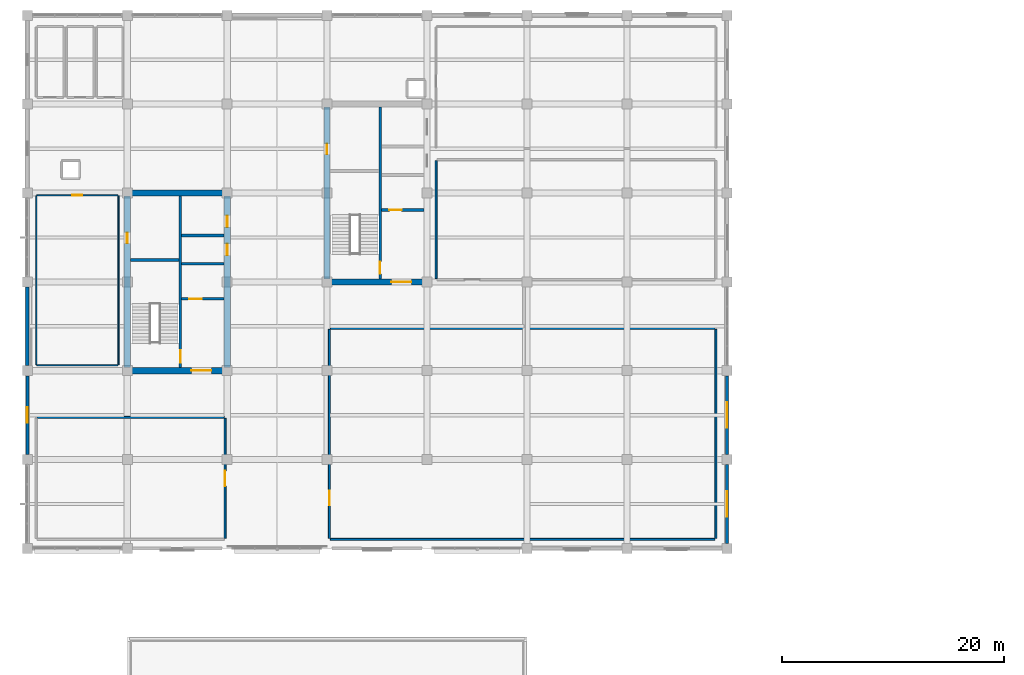
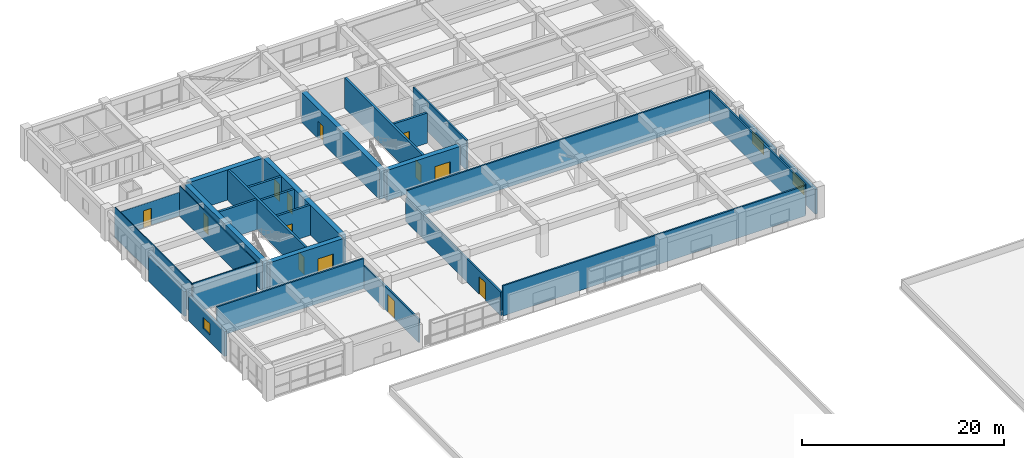
# One storey, part 16 of 23: 28 walls, 13 doors, 3 windows, 16 openings.
"""IFC4 building model written with IfcOpenShell, lengths in metres."""

import ifcopenshell
import ifcopenshell.guid

model = None  # the IFC model being written
_history = None  # IfcOwnerHistory: only IFC2X3 demands one
_inside = {}  # id of a spatial element -> (the spatial element, [elements in it])
_under = {}  # id of a project, library or spatial element -> (it, [spatial elements below it])
_declared = {}  # id of a project -> (the project, [libraries it declares])
_typed = {}  # id of a type object -> (the type object, [elements of that type])
_made_of = {}  # id of a material, layer set ... -> (it, [elements and type objects made of it])


def new_model(schema):
    """Start an empty IFC model of exactly this schema.

    Asked for "IFC4X3", IfcOpenShell would pick the latest addendum, in which some entities
    have other attributes; the version numbers below select the first issue.
    IFC2X3 requires an IfcOwnerHistory on every rooted entity: one is made here for all.
    """
    global model, _history
    if schema == "IFC4X3":
        model = ifcopenshell.file(schema_version=(4, 3, 0, 0))
    else:
        model = ifcopenshell.file(schema=schema)
    _inside.clear()
    _under.clear()
    _declared.clear()
    _typed.clear()
    _made_of.clear()
    _history = None
    if model.schema == "IFC2X3":
        org = make("IfcOrganization", Name="unknown")
        user = make(
            "IfcPersonAndOrganization",
            ThePerson=make("IfcPerson", FamilyName="unknown"),
            TheOrganization=org,
        )
        app = make(
            "IfcApplication",
            ApplicationDeveloper=org,
            Version="unknown",
            ApplicationFullName="unknown",
            ApplicationIdentifier="unknown",
        )
        _history = make(
            "IfcOwnerHistory",
            OwningUser=user,
            OwningApplication=app,
            ChangeAction="ADDED",
            CreationDate=0,
        )
    return model


def make(cls, **values):
    """One entity of the class cls with the attributes given. An attribute that is None is left unset."""
    return model.create_entity(
        cls, **{name: value for name, value in values.items() if value is not None}
    )


def rooted(cls, **values):
    """An entity with a GlobalId (a new one), such as an element, a storey or a relation."""
    return make(cls, GlobalId=ifcopenshell.guid.new(), OwnerHistory=_history, **values)


def si_unit(unit_type, name, prefix=None):
    """IfcSIUnit, for example si_unit("LENGTHUNIT", "METRE", prefix="MILLI")."""
    return make("IfcSIUnit", UnitType=unit_type, Prefix=prefix, Name=name)


def assignment(units):
    """IfcUnitAssignment: the units of a project."""
    return None if units is None else make("IfcUnitAssignment", Units=units)


def point(xyz):
    """IfcCartesianPoint."""
    return None if xyz is None else make("IfcCartesianPoint", Coordinates=xyz)


def direction(xyz):
    """IfcDirection."""
    return None if xyz is None else make("IfcDirection", DirectionRatios=xyz)


def frame(location, z_axis=None, x_axis=None):
    """IfcAxis2Placement3D, a coordinate frame: its origin and axes. An axis left out is left unset."""
    return make(
        "IfcAxis2Placement3D",
        Location=point(location),
        Axis=direction(z_axis),
        RefDirection=direction(x_axis),
    )


def frame_2d(location, x_axis=None):
    """IfcAxis2Placement2D, a coordinate frame in the plane: its origin and x axis."""
    return make(
        "IfcAxis2Placement2D", Location=point(location), RefDirection=direction(x_axis)
    )


def origin():
    """The frame at (0, 0, 0) with its axes left unset."""
    return frame((0.0, 0.0, 0.0))


def place(relative_to, where):
    """IfcLocalPlacement: puts the frame where relative to a parent placement (None: the world)."""
    return make(
        "IfcLocalPlacement", PlacementRelTo=relative_to, RelativePlacement=where
    )


def context(
    kind, dimensions, precision=None, world=None, true_north=None, identifier=None
):
    """IfcGeometricRepresentationContext, for example the 3D "Model" context."""
    return make(
        "IfcGeometricRepresentationContext",
        ContextIdentifier=identifier,
        ContextType=kind,
        CoordinateSpaceDimension=dimensions,
        Precision=precision,
        WorldCoordinateSystem=world,
        TrueNorth=true_north,
    )


def subcontext(parent, identifier, kind, view, scale=None):
    """IfcGeometricRepresentationSubContext, for example "Body" below "Model"."""
    return make(
        "IfcGeometricRepresentationSubContext",
        ContextIdentifier=identifier,
        ContextType=kind,
        ParentContext=parent,
        TargetScale=scale,
        TargetView=view,
    )


def project(units=None, contexts=None):
    """IfcProject with its units and contexts."""
    return rooted(
        "IfcProject",
        Name="project",
        RepresentationContexts=contexts,
        UnitsInContext=assignment(units),
    )


def spatial(cls, under=None, at=None, **own):
    """A site, building, storey or space (cls), placed at a placement, below another one or the project."""
    s = rooted(cls, ObjectPlacement=at, **own)
    if under is not None:
        _under.setdefault(under.id(), (under, []))[1].append(s)
    return s


def profile(cls, at=None, kind="AREA", **sizes):
    """A parametric profile (cls). Its sizes go by their IFC names, for example OverallWidth=200.0."""
    return make(cls, ProfileType=kind, Position=at, **sizes)


def rectangle(**sizes):
    """IfcRectangleProfileDef."""
    return profile("IfcRectangleProfileDef", **sizes)


def extrude(swept, where, along, depth):
    """IfcExtrudedAreaSolid: the profile swept, set in the frame where, extruded along a direction by depth."""
    return make(
        "IfcExtrudedAreaSolid",
        SweptArea=swept,
        Position=where,
        ExtrudedDirection=direction(along),
        Depth=depth,
    )


def shape(context_of_items, identifier, shape_type, items):
    """IfcShapeRepresentation: the items that make up one representation, for example the "Body"."""
    return make(
        "IfcShapeRepresentation",
        ContextOfItems=context_of_items,
        RepresentationIdentifier=identifier,
        RepresentationType=shape_type,
        Items=items,
    )


def material(Name=None, Category=None):
    """IfcMaterial."""
    return make("IfcMaterial", Name=Name, Category=Category)


def layer(
    of_material, thickness, ventilated=None, Name=None, Category=None, Priority=None
):
    """IfcMaterialLayer: one layer of a wall or slab, of a material (None: an air gap)."""
    return make(
        "IfcMaterialLayer",
        Material=of_material,
        LayerThickness=thickness,
        IsVentilated=ventilated,
        Name=Name,
        Category=Category,
        Priority=Priority,
    )


def layer_set(layers, Name=None):
    """IfcMaterialLayerSet."""
    return make("IfcMaterialLayerSet", MaterialLayers=layers, LayerSetName=Name)


def made_of(thing, what):
    """Note that an element or type object is made of a material, layer set ...; save() writes the relation."""
    if what is not None:
        _made_of.setdefault(what.id(), (what, []))[1].append(thing)
    return thing


def type_object(cls, material=None, **own):
    """A type object (cls), such as IfcWallType, which elements share."""
    return made_of(rooted(cls, **own), material)


def element(
    cls,
    number,
    at=None,
    inside=None,
    cuts=None,
    type_object=None,
    material=None,
    context=None,
    identifier="Body",
    shape_type=None,
    held_by="IfcProductDefinitionShape",
    body=None,
    shapes=None,
    **own,
):
    """One element of the class cls, such as IfcWall. Its Tag is "e" and its number.

    at: its placement. inside: the storey or other place that contains it. cuts: it is an
    opening in that element (IfcRelVoidsElement). A single representation is given by context,
    identifier, shape_type and body (its items); several are given by shapes. held_by: the class
    of the entity that holds the representations. save() writes the other relations.
    """
    e = rooted(cls, Tag="e%d" % number, ObjectPlacement=at, **own)
    if body is not None:
        shapes = [shape(context, identifier, shape_type, body)]
    if shapes is not None:
        e.Representation = make(held_by, Representations=shapes)
    if inside is not None:
        _inside.setdefault(inside.id(), (inside, []))[1].append(e)
    if cuts is not None:
        rooted(
            "IfcRelVoidsElement", RelatingBuildingElement=cuts, RelatedOpeningElement=e
        )
    if type_object is not None:
        _typed.setdefault(type_object.id(), (type_object, []))[1].append(e)
    return made_of(e, material)


def fill(opening, filler):
    """IfcRelFillsElement: the door or window that sits in an opening."""
    return rooted(
        "IfcRelFillsElement",
        RelatingOpeningElement=opening,
        RelatedBuildingElement=filler,
    )


def aggregate(whole, parts):
    """IfcRelAggregates: a whole, such as a stair, and the parts it consists of."""
    return rooted("IfcRelAggregates", RelatingObject=whole, RelatedObjects=parts)


def save(model, path):
    """Write the relations noted so far, then the file.

    IfcRelAggregates (storeys below a building ...), IfcRelContainedInSpatialStructure (elements
    in a storey), IfcRelDefinesByType, IfcRelAssociatesMaterial and IfcRelDeclares: one each for
    every whole, place, type object, material and project.
    """
    for whole, parts in _under.values():
        aggregate(whole, parts)
    for where, things in _inside.values():
        rooted(
            "IfcRelContainedInSpatialStructure",
            RelatedElements=things,
            RelatingStructure=where,
        )
    for kind, things in _typed.values():
        rooted("IfcRelDefinesByType", RelatedObjects=things, RelatingType=kind)
    for what, things in _made_of.values():
        rooted("IfcRelAssociatesMaterial", RelatedObjects=things, RelatingMaterial=what)
    for by, libraries in _declared.values():
        rooted("IfcRelDeclares", RelatingContext=by, RelatedDefinitions=libraries)
    model.write(path)


model = new_model("IFC4")

# Units and contexts
model_context = context("Model", 3, precision=1e-05, world=origin(), true_north=direction((0.0, 1.0)))
body_context = subcontext(model_context, "Body", "Model", "MODEL_VIEW")
ifc_project = project(units=[si_unit("LENGTHUNIT", "METRE"), si_unit("AREAUNIT", "SQUARE_METRE"), si_unit("VOLUMEUNIT", "CUBIC_METRE"), si_unit("PLANEANGLEUNIT", "RADIAN"), si_unit("MASSUNIT", "GRAM", prefix="KILO")], contexts=[model_context])

# Site, building, storey
site_placement = place(None, origin())
site = spatial("IfcSite", under=ifc_project, at=site_placement, CompositionType="ELEMENT")
building_placement = place(site_placement, origin())
building = spatial("IfcBuilding", under=site, at=building_placement, Name="Zaverband Oceanarium and Marine Research Institute", CompositionType="ELEMENT")
storey_placement = place(building_placement, frame((0.0, 0.0, 21.89990234375)))
storey = spatial("IfcBuildingStorey", under=building, at=storey_placement, Name="L05", CompositionType="ELEMENT", Elevation=21.89990234375)

# Wall, opening, door
ifc_material_1 = material(Name="Concrete C50/60", Category="concrete")
ifc_layer_1 = layer(ifc_material_1, 0.550048828125, Name="Concrete C50/60")
ifc_layer_set_1 = layer_set([ifc_layer_1], Name="Concrete C50/60")
wall_type_1 = type_object("IfcWallType", Name="CW-01", PredefinedType="SHEAR", material=ifc_layer_set_1)
wall_1_placement = place(storey_placement, frame((18.27490234375, 80.0, 0.0), z_axis=(0.0, 0.0, 1.0), x_axis=(1.0, 0.0, 0.0)))
wall_1 = element("IfcWall", 1, at=wall_1_placement, inside=storey, type_object=wall_type_1, Name="Structural shear wall CW-01", PredefinedType="SHEAR", context=body_context, shape_type="SweptSolid", body=[
    extrude(rectangle(XDim=8.4501953125, YDim=0.550048828125, at=frame_2d((4.22509765625, 0.0))), origin(), (0.0, 0.0, 1.0), 3.650146484375),
])
opening_1_placement = place(wall_1_placement, frame((5.5, 0.0, 0.0)))
opening_1 = element("IfcOpeningElement", 2, at=opening_1_placement, cuts=wall_1, Name="Opening FD-02", PredefinedType="OPENING", context=body_context, shape_type="SweptSolid", body=[
    extrude(rectangle(XDim=1.800048828125, YDim=2.179931640625, at=frame_2d((0.89990234375, 1.08984375))), frame((0.0, 0.287109375, 0.0), z_axis=(0.0, -1.0, 0.0), x_axis=(1.0, 0.0, 0.0)), (0.0, 0.0, 1.0), 0.573974609375),
])
ifc_material_2 = material(Name="Steel S355", Category="steel")
door_type_1 = type_object("IfcDoorType", Name="FD-02", OperationType="DOUBLE_DOOR_SINGLE_SWING", PredefinedType="DOOR", material=ifc_material_2)
door_1_placement = place(opening_1_placement, origin())
door_1 = element("IfcDoor", 3, at=door_1_placement, inside=storey, type_object=door_type_1, Name="Protected lobby double fire door FD-02", OperationType="DOUBLE_DOOR_SINGLE_SWING", OverallHeight=2.179931640625, OverallWidth=1.800048828125, PredefinedType="DOOR", context=body_context, shape_type="SweptSolid", body=[
    extrude(rectangle(XDim=1.800048828125, YDim=2.179931640625, at=frame_2d((0.89990234375, 1.08984375))), frame((0.0, 0.02490234375, 0.0), z_axis=(0.0, -1.0, 0.0), x_axis=(1.0, 0.0, 0.0)), (0.0, 0.0, 1.0), 0.050048828125),
])
fill(opening_1, door_1)

# Wall
wall_2_placement = place(storey_placement, frame((18.27490234375, 96.0, 0.0), z_axis=(0.0, 0.0, 1.0), x_axis=(1.0, 0.0, 0.0)))
element("IfcWall", 4, at=wall_2_placement, inside=storey, type_object=wall_type_1, Name="Structural shear wall CW-01", PredefinedType="SHEAR", context=body_context, shape_type="SweptSolid", body=[
    extrude(rectangle(XDim=8.4501953125, YDim=0.550048828125, at=frame_2d((4.22509765625, 0.0))), origin(), (0.0, 0.0, 1.0), 3.650146484375),
])

# Wall, opening, door
wall_3_placement = place(storey_placement, frame((18.0, 80.27490234375, 0.0), z_axis=(0.0, 0.0, 1.0), x_axis=(0.0, 1.0, 0.0)))
wall_3 = element("IfcWall", 5, at=wall_3_placement, inside=storey, type_object=wall_type_1, Name="Structural shear wall CW-01", PredefinedType="SHEAR", context=body_context, shape_type="SweptSolid", body=[
    extrude(rectangle(XDim=15.4501953125, YDim=0.550048828125, at=frame_2d((7.72509765625, 0.0))), origin(), (0.0, 0.0, 1.0), 3.650146484375),
])
opening_2_placement = place(wall_3_placement, frame((11.199951171875, 0.0, 0.0)))
opening_2 = element("IfcOpeningElement", 6, at=opening_2_placement, cuts=wall_3, Name="Opening FD-03", PredefinedType="OPENING", context=body_context, shape_type="SweptSolid", body=[
    extrude(rectangle(XDim=0.949951171875, YDim=2.10009765625, at=frame_2d((0.47509765625, 1.050048828125))), frame((0.0, 0.287109375, 0.0), z_axis=(0.0, -1.0, 0.0), x_axis=(1.0, 0.0, 0.0)), (0.0, 0.0, 1.0), 0.573974609375),
])
door_type_2 = type_object("IfcDoorType", Name="FD-03", OperationType="NOTDEFINED", PredefinedType="DOOR", material=ifc_material_2)
door_2_placement = place(opening_2_placement, origin())
door_2 = element("IfcDoor", 7, at=door_2_placement, inside=storey, type_object=door_type_2, Name="Service riser access fire door FD-03", OperationType="SINGLE_SWING_RIGHT", OverallHeight=2.10009765625, OverallWidth=0.949951171875, PredefinedType="DOOR", context=body_context, shape_type="SweptSolid", body=[
    extrude(rectangle(XDim=0.949951171875, YDim=2.10009765625, at=frame_2d((0.47509765625, 1.050048828125))), frame((0.0, 0.02490234375, 0.0), z_axis=(0.0, -1.0, 0.0), x_axis=(1.0, 0.0, 0.0)), (0.0, 0.0, 1.0), 0.050048828125),
])
fill(opening_2, door_2)

# Wall, openings, doors
wall_4_placement = place(storey_placement, frame((27.0, 80.27490234375, 0.0), z_axis=(0.0, 0.0, 1.0), x_axis=(0.0, 1.0, 0.0)))
wall_4 = element("IfcWall", 8, at=wall_4_placement, inside=storey, type_object=wall_type_1, Name="Structural shear wall CW-01", PredefinedType="SHEAR", context=body_context, shape_type="SweptSolid", body=[
    extrude(rectangle(XDim=15.4501953125, YDim=0.550048828125, at=frame_2d((7.72509765625, 0.0))), origin(), (0.0, 0.0, 1.0), 3.650146484375),
])
opening_3_placement = place(wall_4_placement, frame((10.10009765625, 0.0, 0.0)))
opening_3 = element("IfcOpeningElement", 9, at=opening_3_placement, cuts=wall_4, Name="Opening LD-02", PredefinedType="OPENING", context=body_context, shape_type="SweptSolid", body=[
    extrude(rectangle(XDim=1.050048828125, YDim=2.1201171875, at=frame_2d((0.52490234375, 1.06005859375))), frame((0.0, 0.287109375, 0.0), z_axis=(0.0, -1.0, 0.0), x_axis=(1.0, 0.0, 0.0)), (0.0, 0.0, 1.0), 0.573974609375),
])
opening_4_placement = place(wall_4_placement, frame((12.64990234375, 0.0, 0.0)))
opening_4 = element("IfcOpeningElement", 10, at=opening_4_placement, cuts=wall_4, Name="Opening LD-02", PredefinedType="OPENING", context=body_context, shape_type="SweptSolid", body=[
    extrude(rectangle(XDim=1.050048828125, YDim=2.1201171875, at=frame_2d((0.52490234375, 1.06005859375))), frame((0.0, 0.287109375, 0.0), z_axis=(0.0, -1.0, 0.0), x_axis=(1.0, 0.0, 0.0)), (0.0, 0.0, 1.0), 0.573974609375),
])
door_type_3 = type_object("IfcDoorType", Name="LD-02", OperationType="DOUBLE_DOOR_SLIDING", PredefinedType="DOOR", material=ifc_material_2)
door_3_placement = place(opening_3_placement, origin())
door_3 = element("IfcDoor", 11, at=door_3_placement, inside=storey, type_object=door_type_3, Name="Passenger lift sliding landing door LD-02", OperationType="DOUBLE_DOOR_SLIDING", OverallHeight=2.1201171875, OverallWidth=1.050048828125, PredefinedType="DOOR", context=body_context, shape_type="SweptSolid", body=[
    extrude(rectangle(XDim=1.050048828125, YDim=2.1201171875, at=frame_2d((0.52490234375, 1.06005859375))), frame((0.0, 0.02490234375, 0.0), z_axis=(0.0, -1.0, 0.0), x_axis=(1.0, 0.0, 0.0)), (0.0, 0.0, 1.0), 0.050048828125),
])
fill(opening_3, door_3)
door_4_placement = place(opening_4_placement, origin())
door_4 = element("IfcDoor", 12, at=door_4_placement, inside=storey, type_object=door_type_3, Name="Passenger lift sliding landing door LD-02", OperationType="DOUBLE_DOOR_SLIDING", OverallHeight=2.1201171875, OverallWidth=1.050048828125, PredefinedType="DOOR", context=body_context, shape_type="SweptSolid", body=[
    extrude(rectangle(XDim=1.050048828125, YDim=2.1201171875, at=frame_2d((0.52490234375, 1.06005859375))), frame((0.0, 0.02490234375, 0.0), z_axis=(0.0, -1.0, 0.0), x_axis=(1.0, 0.0, 0.0)), (0.0, 0.0, 1.0), 0.050048828125),
])
fill(opening_4, door_4)

# Wall, opening, door
wall_5_placement = place(storey_placement, frame((36.27490234375, 88.0, 0.0), z_axis=(0.0, 0.0, 1.0), x_axis=(1.0, 0.0, 0.0)))
wall_5 = element("IfcWall", 13, at=wall_5_placement, inside=storey, type_object=wall_type_1, Name="Structural shear wall CW-01", PredefinedType="SHEAR", context=body_context, shape_type="SweptSolid", body=[
    extrude(rectangle(XDim=8.4501953125, YDim=0.550048828125, at=frame_2d((4.22509765625, 0.0))), origin(), (0.0, 0.0, 1.0), 3.650146484375),
])
opening_5_placement = place(wall_5_placement, frame((5.5, 0.0, 0.0)))
opening_5 = element("IfcOpeningElement", 14, at=opening_5_placement, cuts=wall_5, Name="Opening FD-02", PredefinedType="OPENING", context=body_context, shape_type="SweptSolid", body=[
    extrude(rectangle(XDim=1.800048828125, YDim=2.179931640625, at=frame_2d((0.89990234375, 1.08984375))), frame((0.0, 0.287109375, 0.0), z_axis=(0.0, -1.0, 0.0), x_axis=(1.0, 0.0, 0.0)), (0.0, 0.0, 1.0), 0.573974609375),
])
door_5_placement = place(opening_5_placement, origin())
door_5 = element("IfcDoor", 15, at=door_5_placement, inside=storey, type_object=door_type_1, Name="Protected lobby double fire door FD-02", OperationType="DOUBLE_DOOR_SINGLE_SWING", OverallHeight=2.179931640625, OverallWidth=1.800048828125, PredefinedType="DOOR", context=body_context, shape_type="SweptSolid", body=[
    extrude(rectangle(XDim=1.800048828125, YDim=2.179931640625, at=frame_2d((0.89990234375, 1.08984375))), frame((0.0, 0.02490234375, 0.0), z_axis=(0.0, -1.0, 0.0), x_axis=(1.0, 0.0, 0.0)), (0.0, 0.0, 1.0), 0.050048828125),
])
fill(opening_5, door_5)

wall_6_placement = place(storey_placement, frame((36.0, 88.27490234375, 0.0), z_axis=(0.0, 0.0, 1.0), x_axis=(0.0, 1.0, 0.0)))
wall_6 = element("IfcWall", 16, at=wall_6_placement, inside=storey, type_object=wall_type_1, Name="Structural shear wall CW-01", PredefinedType="SHEAR", context=body_context, shape_type="SweptSolid", body=[
    extrude(rectangle(XDim=15.4501953125, YDim=0.550048828125, at=frame_2d((7.72509765625, 0.0))), origin(), (0.0, 0.0, 1.0), 3.650146484375),
])
opening_6_placement = place(wall_6_placement, frame((11.199951171875, 0.0, 0.0)))
opening_6 = element("IfcOpeningElement", 17, at=opening_6_placement, cuts=wall_6, Name="Opening FD-03", PredefinedType="OPENING", context=body_context, shape_type="SweptSolid", body=[
    extrude(rectangle(XDim=0.949951171875, YDim=2.10009765625, at=frame_2d((0.47509765625, 1.050048828125))), frame((0.0, 0.287109375, 0.0), z_axis=(0.0, -1.0, 0.0), x_axis=(1.0, 0.0, 0.0)), (0.0, 0.0, 1.0), 0.573974609375),
])
door_6_placement = place(opening_6_placement, origin())
door_6 = element("IfcDoor", 18, at=door_6_placement, inside=storey, type_object=door_type_2, Name="Service riser access fire door FD-03", OperationType="SINGLE_SWING_RIGHT", OverallHeight=2.10009765625, OverallWidth=0.949951171875, PredefinedType="DOOR", context=body_context, shape_type="SweptSolid", body=[
    extrude(rectangle(XDim=0.949951171875, YDim=2.10009765625, at=frame_2d((0.47509765625, 1.050048828125))), frame((0.0, 0.02490234375, 0.0), z_axis=(0.0, -1.0, 0.0), x_axis=(1.0, 0.0, 0.0)), (0.0, 0.0, 1.0), 0.050048828125),
])
fill(opening_6, door_6)

# Wall, opening, window
ifc_material_3 = material(Name="Concrete C40/50 precast", Category="concrete")
ifc_layer_2 = layer(ifc_material_3, 0.264892578125, Name="Concrete C40/50 precast")
ifc_layer_set_2 = layer_set([ifc_layer_2], Name="Concrete C40/50 precast")
wall_type_2 = type_object("IfcWallType", Name="EW-265", PredefinedType="STANDARD", material=ifc_layer_set_2)
wall_7_placement = place(storey_placement, frame((9.0, 72.455078125, 0.0), z_axis=(0.0, 0.0, 1.0), x_axis=(0.0, 1.0, 0.0)))
wall_7 = element("IfcWall", 19, at=wall_7_placement, inside=storey, type_object=wall_type_2, Name="Exterior infill wall EW-265", PredefinedType="STANDARD", context=body_context, shape_type="SweptSolid", body=[
    extrude(rectangle(XDim=7.08984375, YDim=0.264892578125, at=frame_2d((3.544921875, 0.0))), origin(), (0.0, 0.0, 1.0), 2.97998046875),
])
opening_7_placement = place(wall_7_placement, frame((2.844970703125, 0.0, 0.85009765625)))
opening_7 = element("IfcOpeningElement", 20, at=opening_7_placement, cuts=wall_7, Name="Opening WN-1400x1350", PredefinedType="OPENING", context=body_context, shape_type="SweptSolid", body=[
    extrude(rectangle(XDim=1.39990234375, YDim=1.35009765625, at=frame_2d((0.699951171875, 0.675048828125))), frame((0.0, 0.14453125, 0.0), z_axis=(0.0, -1.0, 0.0), x_axis=(1.0, 0.0, 0.0)), (0.0, 0.0, 1.0), 0.288818359375),
])
ifc_material_4 = material(Name="Thermally broken anodized aluminium and solar-control glass", Category="aluminium")
window_type_1 = type_object("IfcWindowType", Name="WN-1400x1350", PartitioningType="SINGLE_PANEL", PredefinedType="WINDOW", material=ifc_material_4)
window_1_placement = place(opening_7_placement, origin())
window_1 = element("IfcWindow", 21, at=window_1_placement, inside=storey, type_object=window_type_1, Name="Fixed / casement exterior window WN-1400x1350", OverallHeight=1.35009765625, OverallWidth=1.39990234375, PartitioningType="SINGLE_PANEL", PredefinedType="WINDOW", context=body_context, shape_type="SweptSolid", body=[
    extrude(rectangle(XDim=1.39990234375, YDim=1.35009765625, at=frame_2d((0.699951171875, 0.675048828125))), frame((0.0, 0.030029296875, 0.0), z_axis=(0.0, -1.0, 0.0), x_axis=(1.0, 0.0, 0.0)), (0.0, 0.0, 1.0), 0.06005859375),
])
fill(opening_7, window_1)

wall_8_placement = place(storey_placement, frame((72.0, 72.455078125, 0.0), z_axis=(0.0, 0.0, 1.0), x_axis=(0.0, 1.0, 0.0)))
wall_8 = element("IfcWall", 22, at=wall_8_placement, inside=storey, type_object=wall_type_2, Name="Exterior infill wall EW-265", PredefinedType="STANDARD", context=body_context, shape_type="SweptSolid", body=[
    extrude(rectangle(XDim=7.08984375, YDim=0.264892578125, at=frame_2d((3.544921875, 0.0))), origin(), (0.0, 0.0, 1.0), 2.97998046875),
])
opening_8_placement = place(wall_8_placement, frame((2.39501953125, 0.0, 0.85009765625)))
opening_8 = element("IfcOpeningElement", 23, at=opening_8_placement, cuts=wall_8, Name="Opening WN-2300x1500", PredefinedType="OPENING", context=body_context, shape_type="SweptSolid", body=[
    extrude(rectangle(XDim=2.300048828125, YDim=1.5, at=frame_2d((1.14990234375, 0.75))), frame((0.0, 0.14453125, 0.0), z_axis=(0.0, -1.0, 0.0), x_axis=(1.0, 0.0, 0.0)), (0.0, 0.0, 1.0), 0.288818359375),
])
window_type_2 = type_object("IfcWindowType", Name="WN-2300x1500", PartitioningType="SINGLE_PANEL", PredefinedType="WINDOW", material=ifc_material_4)
window_2_placement = place(opening_8_placement, origin())
window_2 = element("IfcWindow", 24, at=window_2_placement, inside=storey, type_object=window_type_2, Name="Fixed / casement exterior window WN-2300x1500", OverallHeight=1.5, OverallWidth=2.300048828125, PartitioningType="SINGLE_PANEL", PredefinedType="WINDOW", context=body_context, shape_type="SweptSolid", body=[
    extrude(rectangle(XDim=2.300048828125, YDim=1.5, at=frame_2d((1.14990234375, 0.75))), frame((0.0, 0.030029296875, 0.0), z_axis=(0.0, -1.0, 0.0), x_axis=(1.0, 0.0, 0.0)), (0.0, 0.0, 1.0), 0.06005859375),
])
fill(opening_8, window_2)

# Wall
ifc_layer_3 = layer(ifc_material_3, 0.2900390625, Name="Concrete C40/50 precast")
ifc_layer_set_3 = layer_set([ifc_layer_3], Name="Concrete C40/50 precast")
wall_type_3 = type_object("IfcWallType", Name="EW-290", PredefinedType="STANDARD", material=ifc_layer_set_3)
wall_9_placement = place(storey_placement, frame((9.0, 80.455078125, 0.0), z_axis=(0.0, 0.0, 1.0), x_axis=(0.0, 1.0, 0.0)))
element("IfcWall", 25, at=wall_9_placement, inside=storey, type_object=wall_type_3, Name="Exterior infill wall EW-290", PredefinedType="STANDARD", context=body_context, shape_type="SweptSolid", body=[
    extrude(rectangle(XDim=7.08984375, YDim=0.2900390625, at=frame_2d((3.544921875, 0.0))), origin(), (0.0, 0.0, 1.0), 2.97998046875),
])

# Wall, opening, window
wall_10_placement = place(storey_placement, frame((72.0, 64.455078125, 0.0), z_axis=(0.0, 0.0, 1.0), x_axis=(0.0, 1.0, 0.0)))
wall_10 = element("IfcWall", 26, at=wall_10_placement, inside=storey, type_object=wall_type_3, Name="Exterior infill wall EW-290", PredefinedType="STANDARD", context=body_context, shape_type="SweptSolid", body=[
    extrude(rectangle(XDim=7.08984375, YDim=0.2900390625, at=frame_2d((3.544921875, 0.0))), origin(), (0.0, 0.0, 1.0), 2.97998046875),
])
opening_9_placement = place(wall_10_placement, frame((2.39501953125, 0.0, 0.85009765625)))
opening_9 = element("IfcOpeningElement", 27, at=opening_9_placement, cuts=wall_10, Name="Opening WN-2300x1500", PredefinedType="OPENING", context=body_context, shape_type="SweptSolid", body=[
    extrude(rectangle(XDim=2.300048828125, YDim=1.5, at=frame_2d((1.14990234375, 0.75))), frame((0.0, 0.156982421875, 0.0), z_axis=(0.0, -1.0, 0.0), x_axis=(1.0, 0.0, 0.0)), (0.0, 0.0, 1.0), 0.31396484375),
])
window_3_placement = place(opening_9_placement, origin())
window_3 = element("IfcWindow", 28, at=window_3_placement, inside=storey, type_object=window_type_2, Name="Fixed / casement exterior window WN-2300x1500", OverallHeight=1.5, OverallWidth=2.300048828125, PartitioningType="SINGLE_PANEL", PredefinedType="WINDOW", context=body_context, shape_type="SweptSolid", body=[
    extrude(rectangle(XDim=2.300048828125, YDim=1.5, at=frame_2d((1.14990234375, 0.75))), frame((0.0, 0.030029296875, 0.0), z_axis=(0.0, -1.0, 0.0), x_axis=(1.0, 0.0, 0.0)), (0.0, 0.0, 1.0), 0.06005859375),
])
fill(opening_9, window_3)

# Wall
ifc_material_5 = material(Name="Store room fire-lined stud partition")
ifc_layer_4 = layer(ifc_material_5, 0.110107421875, Name="Store room fire-lined stud partition")
ifc_layer_set_4 = layer_set([ifc_layer_4], Name="Store room fire-lined stud partition")
wall_type_4 = type_object("IfcWallType", Name="PT-110-ST", PredefinedType="PARTITIONING", material=ifc_layer_set_4)
wall_11_placement = place(storey_placement, frame((9.85498046875, 80.5, 0.0), z_axis=(0.0, 0.0, 1.0), x_axis=(1.0, 0.0, 0.0)))
element("IfcWall", 29, at=wall_11_placement, inside=storey, type_object=wall_type_4, Name="Internal partition PT-110-ST", PredefinedType="PARTITIONING", context=body_context, shape_type="SweptSolid", body=[
    extrude(rectangle(XDim=7.2900390625, YDim=0.110107421875, at=frame_2d((3.64501953125, 0.0))), origin(), (0.0, 0.0, 1.0), 3.650146484375),
])

# Wall, opening, door
wall_12_placement = place(storey_placement, frame((9.85498046875, 95.800048828125, 0.0), z_axis=(0.0, 0.0, 1.0), x_axis=(1.0, 0.0, 0.0)))
wall_12 = element("IfcWall", 30, at=wall_12_placement, inside=storey, type_object=wall_type_4, Name="Internal partition PT-110-ST", PredefinedType="PARTITIONING", context=body_context, shape_type="SweptSolid", body=[
    extrude(rectangle(XDim=7.2900390625, YDim=0.110107421875, at=frame_2d((3.64501953125, 0.0))), origin(), (0.0, 0.0, 1.0), 2.85009765625),
])
opening_10_placement = place(wall_12_placement, frame((3.2099609375, 0.0, 0.0)))
opening_10 = element("IfcOpeningElement", 31, at=opening_10_placement, cuts=wall_12, Name="Opening ID-870x2040", PredefinedType="OPENING", context=body_context, shape_type="SweptSolid", body=[
    extrude(rectangle(XDim=0.8701171875, YDim=2.0400390625, at=frame_2d((0.43505859375, 1.02001953125))), frame((0.0, 0.06689453125, 0.0), z_axis=(0.0, -1.0, 0.0), x_axis=(1.0, 0.0, 0.0)), (0.0, 0.0, 1.0), 0.134033203125),
])
ifc_material_6 = material(Name="Hardwood-veneered acoustic timber", Category="wood")
door_type_4 = type_object("IfcDoorType", Name="ID-870x2040", OperationType="NOTDEFINED", PredefinedType="DOOR", material=ifc_material_6)
door_7_placement = place(opening_10_placement, origin())
door_7 = element("IfcDoor", 32, at=door_7_placement, inside=storey, type_object=door_type_4, Name="Laboratory store door ID-870x2040", OperationType="SINGLE_SWING_LEFT", OverallHeight=2.0400390625, OverallWidth=0.8701171875, PredefinedType="DOOR", context=body_context, shape_type="SweptSolid", body=[
    extrude(rectangle(XDim=0.8701171875, YDim=2.0400390625, at=frame_2d((0.43505859375, 1.02001953125))), frame((0.0, 0.02490234375, 0.0), z_axis=(0.0, -1.0, 0.0), x_axis=(1.0, 0.0, 0.0)), (0.0, 0.0, 1.0), 0.050048828125),
])
fill(opening_10, door_7)

# Walls
for number, where, z_axis, x_axis, name in (
    (33, (9.800048828125, 80.554931640625, 0.0), (0.0, 0.0, 1.0), (0.0, 1.0, 0.0), "Internal partition PT-110-ST"),
    (34, (17.199951171875, 80.554931640625, 0.0), (0.0, 0.0, 1.0), (0.0, 1.0, 0.0), "Internal partition PT-110-ST"),
):
    element("IfcWall", number, at=place(storey_placement, frame(where, z_axis=z_axis, x_axis=x_axis)), inside=storey, type_object=wall_type_4, Name=name, PredefinedType="PARTITIONING", context=body_context, shape_type="SweptSolid", body=[
        extrude(rectangle(XDim=15.190185546875, YDim=0.110107421875, at=frame_2d((7.59521484375, 0.0))), origin(), (0.0, 0.0, 1.0), 3.650146484375),
    ])
ifc_material_7 = material(Name="Moisture-resistant laboratory blockwork", Category="masonry")
ifc_layer_5 = layer(ifc_material_7, 0.179931640625, Name="Moisture-resistant laboratory blockwork")
ifc_layer_set_5 = layer_set([ifc_layer_5], Name="Moisture-resistant laboratory blockwork")
wall_type_5 = type_object("IfcWallType", Name="PT-180-LB", PredefinedType="PARTITIONING", material=ifc_layer_set_5)
wall_13_placement = place(storey_placement, frame((9.889892578125, 75.800048828125, 0.0), z_axis=(0.0, 0.0, 1.0), x_axis=(1.0, 0.0, 0.0)))
element("IfcWall", 35, at=wall_13_placement, inside=storey, type_object=wall_type_5, Name="Internal partition PT-180-LB", PredefinedType="PARTITIONING", context=body_context, shape_type="SweptSolid", body=[
    extrude(rectangle(XDim=16.820068359375, YDim=0.179931640625, at=frame_2d((8.41015625, 0.0))), origin(), (0.0, 0.0, 1.0), 3.650146484375),
])

# Wall, opening, door
wall_14_placement = place(storey_placement, frame((26.800048828125, 64.889892578125, 0.0), z_axis=(0.0, 0.0, 1.0), x_axis=(0.0, 1.0, 0.0)))
wall_14 = element("IfcWall", 36, at=wall_14_placement, inside=storey, type_object=wall_type_5, Name="Internal partition PT-180-LB", PredefinedType="PARTITIONING", context=body_context, shape_type="SweptSolid", body=[
    extrude(rectangle(XDim=10.820068359375, YDim=0.179931640625, at=frame_2d((5.41015625, 0.0))), origin(), (0.0, 0.0, 1.0), 2.85009765625),
])
opening_11_placement = place(wall_14_placement, frame((4.7099609375, 0.0, 0.0)))
opening_11 = element("IfcOpeningElement", 37, at=opening_11_placement, cuts=wall_14, Name="Opening ID-1400x2150", PredefinedType="OPENING", context=body_context, shape_type="SweptSolid", body=[
    extrude(rectangle(XDim=1.39990234375, YDim=2.14990234375, at=frame_2d((0.699951171875, 1.074951171875))), frame((0.0, 0.10205078125, 0.0), z_axis=(0.0, -1.0, 0.0), x_axis=(1.0, 0.0, 0.0)), (0.0, 0.0, 1.0), 0.203857421875),
])
door_type_5 = type_object("IfcDoorType", Name="ID-1400x2150", OperationType="NOTDEFINED", PredefinedType="DOOR", material=ifc_material_6)
door_8_placement = place(opening_11_placement, origin())
door_8 = element("IfcDoor", 38, at=door_8_placement, inside=storey, type_object=door_type_5, Name="Aquaculture wet lab door ID-1400x2150", OperationType="SINGLE_SWING_LEFT", OverallHeight=2.14990234375, OverallWidth=1.39990234375, PredefinedType="DOOR", context=body_context, shape_type="SweptSolid", body=[
    extrude(rectangle(XDim=1.39990234375, YDim=2.14990234375, at=frame_2d((0.699951171875, 1.074951171875))), frame((0.0, 0.02490234375, 0.0), z_axis=(0.0, -1.0, 0.0), x_axis=(1.0, 0.0, 0.0)), (0.0, 0.0, 1.0), 0.050048828125),
])
fill(opening_11, door_8)

# Walls
for number, where, z_axis, x_axis, name in (
    (39, (36.2900390625, 64.800048828125, 0.0), (0.0, 0.0, 1.0), (1.0, 0.0, 0.0), "Internal partition PT-180-LB"),
    (40, (36.2900390625, 83.800048828125, 0.0), (0.0, 0.0, 1.0), (1.0, 0.0, 0.0), "Internal partition PT-180-LB"),
):
    element("IfcWall", number, at=place(storey_placement, frame(where, z_axis=z_axis, x_axis=x_axis)), inside=storey, type_object=wall_type_5, Name=name, PredefinedType="PARTITIONING", context=body_context, shape_type="SweptSolid", body=[
        extrude(rectangle(XDim=34.619873046875, YDim=0.179931640625, at=frame_2d((17.31005859375, 0.0))), origin(), (0.0, 0.0, 1.0), 3.650146484375),
    ])

# Wall, opening, door
wall_15_placement = place(storey_placement, frame((36.199951171875, 64.889892578125, 0.0), z_axis=(0.0, 0.0, 1.0), x_axis=(0.0, 1.0, 0.0)))
wall_15 = element("IfcWall", 41, at=wall_15_placement, inside=storey, type_object=wall_type_5, Name="Internal partition PT-180-LB", PredefinedType="PARTITIONING", context=body_context, shape_type="SweptSolid", body=[
    extrude(rectangle(XDim=18.820068359375, YDim=0.179931640625, at=frame_2d((9.41015625, 0.0))), origin(), (0.0, 0.0, 1.0), 2.85009765625),
])
opening_12_placement = place(wall_15_placement, frame((3.0, 0.0, 0.0)))
opening_12 = element("IfcOpeningElement", 42, at=opening_12_placement, cuts=wall_15, Name="Opening ID-1300x2140", PredefinedType="OPENING", context=body_context, shape_type="SweptSolid", body=[
    extrude(rectangle(XDim=1.300048828125, YDim=2.139892578125, at=frame_2d((0.64990234375, 1.06982421875))), frame((0.0, 0.10205078125, 0.0), z_axis=(0.0, -1.0, 0.0), x_axis=(1.0, 0.0, 0.0)), (0.0, 0.0, 1.0), 0.203857421875),
])
door_type_6 = type_object("IfcDoorType", Name="ID-1300x2140", OperationType="NOTDEFINED", PredefinedType="DOOR", material=ifc_material_6)
door_9_placement = place(opening_12_placement, origin())
door_9 = element("IfcDoor", 43, at=door_9_placement, inside=storey, type_object=door_type_6, Name="Genomics laboratory door ID-1300x2140", OperationType="SINGLE_SWING_RIGHT", OverallHeight=2.139892578125, OverallWidth=1.300048828125, PredefinedType="DOOR", context=body_context, shape_type="SweptSolid", body=[
    extrude(rectangle(XDim=1.300048828125, YDim=2.139892578125, at=frame_2d((0.64990234375, 1.06982421875))), frame((0.0, 0.02490234375, 0.0), z_axis=(0.0, -1.0, 0.0), x_axis=(1.0, 0.0, 0.0)), (0.0, 0.0, 1.0), 0.050048828125),
])
fill(opening_12, door_9)

# Walls
wall_16_placement = place(storey_placement, frame((71.0, 64.889892578125, 0.0), z_axis=(0.0, 0.0, 1.0), x_axis=(0.0, 1.0, 0.0)))
element("IfcWall", 44, at=wall_16_placement, inside=storey, type_object=wall_type_5, Name="Internal partition PT-180-LB", PredefinedType="PARTITIONING", context=body_context, shape_type="SweptSolid", body=[
    extrude(rectangle(XDim=18.820068359375, YDim=0.179931640625, at=frame_2d((9.41015625, 0.0))), origin(), (0.0, 0.0, 1.0), 3.650146484375),
])
wall_17_placement = place(storey_placement, frame((45.800048828125, 88.2900390625, 0.0), z_axis=(0.0, 0.0, 1.0), x_axis=(0.0, 1.0, 0.0)))
element("IfcWall", 45, at=wall_17_placement, inside=storey, type_object=wall_type_5, Name="Internal partition PT-180-LB", PredefinedType="PARTITIONING", context=body_context, shape_type="SweptSolid", body=[
    extrude(rectangle(XDim=10.619873046875, YDim=0.179931640625, at=frame_2d((5.31005859375, 0.0))), origin(), (0.0, 0.0, 1.0), 3.650146484375),
])

# Wall, opening, door
ifc_layer_6 = layer(ifc_material_1, 0.25, Name="Concrete C50/60")
ifc_layer_set_6 = layer_set([ifc_layer_6], Name="Concrete C50/60")
wall_type_6 = type_object("IfcWallType", Name="PW-CORE-250", PredefinedType="SOLIDWALL", material=ifc_layer_set_6)
wall_18_placement = place(storey_placement, frame((22.77490234375, 80.27490234375, 0.0), z_axis=(0.0, 0.0, 1.0), x_axis=(0.0, 1.0, 0.0)))
wall_18 = element("IfcWall", 46, at=wall_18_placement, inside=storey, type_object=wall_type_6, Name="Structural concrete wall PW-CORE-250", PredefinedType="SOLIDWALL", context=body_context, shape_type="SweptSolid", body=[
    extrude(rectangle(XDim=15.4501953125, YDim=0.25, at=frame_2d((7.72509765625, 0.0))), origin(), (0.0, 0.0, 1.0), 3.650146484375),
])
opening_13_placement = place(wall_18_placement, frame((0.449951171875, 0.0, 0.0)))
opening_13 = element("IfcOpeningElement", 47, at=opening_13_placement, cuts=wall_18, Name="Opening FD-01", PredefinedType="OPENING", context=body_context, shape_type="SweptSolid", body=[
    extrude(rectangle(XDim=1.10009765625, YDim=2.14990234375, at=frame_2d((0.550048828125, 1.074951171875))), frame((0.0, 0.136962890625, 0.0), z_axis=(0.0, -1.0, 0.0), x_axis=(1.0, 0.0, 0.0)), (0.0, 0.0, 1.0), 0.27392578125),
])
door_type_7 = type_object("IfcDoorType", Name="FD-01", OperationType="NOTDEFINED", PredefinedType="DOOR", material=ifc_material_2)
door_10_placement = place(opening_13_placement, origin())
door_10 = element("IfcDoor", 48, at=door_10_placement, inside=storey, type_object=door_type_7, Name="Core stair / lobby fire door FD-01", OperationType="SINGLE_SWING_RIGHT", OverallHeight=2.14990234375, OverallWidth=1.10009765625, PredefinedType="DOOR", context=body_context, shape_type="SweptSolid", body=[
    extrude(rectangle(XDim=1.10009765625, YDim=2.14990234375, at=frame_2d((0.550048828125, 1.074951171875))), frame((0.0, 0.02490234375, 0.0), z_axis=(0.0, -1.0, 0.0), x_axis=(1.0, 0.0, 0.0)), (0.0, 0.0, 1.0), 0.050048828125),
])
fill(opening_13, door_10)

# Wall
wall_19_placement = place(storey_placement, frame((18.27490234375, 89.97509765625, 0.0), z_axis=(0.0, 0.0, 1.0), x_axis=(1.0, 0.0, 0.0)))
element("IfcWall", 49, at=wall_19_placement, inside=storey, type_object=wall_type_6, Name="Structural concrete wall PW-CORE-250", PredefinedType="SOLIDWALL", context=body_context, shape_type="SweptSolid", body=[
    extrude(rectangle(XDim=4.3701171875, YDim=0.25, at=frame_2d((2.18505859375, 0.0))), origin(), (0.0, 0.0, 1.0), 3.650146484375),
])

# Wall, opening, door
wall_20_placement = place(storey_placement, frame((22.905029296875, 86.47509765625, 0.0), z_axis=(0.0, 0.0, 1.0), x_axis=(1.0, 0.0, 0.0)))
wall_20 = element("IfcWall", 50, at=wall_20_placement, inside=storey, type_object=wall_type_6, Name="Structural concrete wall PW-CORE-250", PredefinedType="SOLIDWALL", context=body_context, shape_type="SweptSolid", body=[
    extrude(rectangle(XDim=3.820068359375, YDim=0.25, at=frame_2d((1.91015625, 0.0))), origin(), (0.0, 0.0, 1.0), 3.650146484375),
])
opening_14_placement = place(wall_20_placement, frame((0.695068359375, 0.0, 0.0)))
opening_14 = element("IfcOpeningElement", 51, at=opening_14_placement, cuts=wall_20, Name="Opening LD-01", PredefinedType="OPENING", context=body_context, shape_type="SweptSolid", body=[
    extrude(rectangle(XDim=1.10009765625, YDim=2.1201171875, at=frame_2d((0.550048828125, 1.06005859375))), frame((0.0, 0.136962890625, 0.0), z_axis=(0.0, -1.0, 0.0), x_axis=(1.0, 0.0, 0.0)), (0.0, 0.0, 1.0), 0.27392578125),
])
door_type_8 = type_object("IfcDoorType", Name="LD-01", OperationType="DOUBLE_DOOR_SLIDING", PredefinedType="DOOR", material=ifc_material_2)
door_11_placement = place(opening_14_placement, origin())
door_11 = element("IfcDoor", 52, at=door_11_placement, inside=storey, type_object=door_type_8, Name="Firefighting lift sliding landing door LD-01", OperationType="DOUBLE_DOOR_SLIDING", OverallHeight=2.1201171875, OverallWidth=1.10009765625, PredefinedType="DOOR", context=body_context, shape_type="SweptSolid", body=[
    extrude(rectangle(XDim=1.10009765625, YDim=2.1201171875, at=frame_2d((0.550048828125, 1.06005859375))), frame((0.0, 0.02490234375, 0.0), z_axis=(0.0, -1.0, 0.0), x_axis=(1.0, 0.0, 0.0)), (0.0, 0.0, 1.0), 0.050048828125),
])
fill(opening_14, door_11)

# Walls
for number, where, z_axis, x_axis, name in (
    (53, (22.905029296875, 89.6298828125, 0.0), (0.0, 0.0, 1.0), (1.0, 0.0, 0.0), "Structural concrete wall PW-CORE-250"),
    (54, (22.905029296875, 92.179931640625, 0.0), (0.0, 0.0, 1.0), (1.0, 0.0, 0.0), "Structural concrete wall PW-CORE-250"),
):
    element("IfcWall", number, at=place(storey_placement, frame(where, z_axis=z_axis, x_axis=x_axis)), inside=storey, type_object=wall_type_6, Name=name, PredefinedType="SOLIDWALL", context=body_context, shape_type="SweptSolid", body=[
        extrude(rectangle(XDim=3.820068359375, YDim=0.25, at=frame_2d((1.91015625, 0.0))), origin(), (0.0, 0.0, 1.0), 3.650146484375),
    ])

# Wall, opening, door
wall_21_placement = place(storey_placement, frame((40.77490234375, 88.27490234375, 0.0), z_axis=(0.0, 0.0, 1.0), x_axis=(0.0, 1.0, 0.0)))
wall_21 = element("IfcWall", 55, at=wall_21_placement, inside=storey, type_object=wall_type_6, Name="Structural concrete wall PW-CORE-250", PredefinedType="SOLIDWALL", context=body_context, shape_type="SweptSolid", body=[
    extrude(rectangle(XDim=15.4501953125, YDim=0.25, at=frame_2d((7.72509765625, 0.0))), origin(), (0.0, 0.0, 1.0), 3.650146484375),
])
opening_15_placement = place(wall_21_placement, frame((0.449951171875, 0.0, 0.0)))
opening_15 = element("IfcOpeningElement", 56, at=opening_15_placement, cuts=wall_21, Name="Opening FD-01", PredefinedType="OPENING", context=body_context, shape_type="SweptSolid", body=[
    extrude(rectangle(XDim=1.10009765625, YDim=2.14990234375, at=frame_2d((0.550048828125, 1.074951171875))), frame((0.0, 0.136962890625, 0.0), z_axis=(0.0, -1.0, 0.0), x_axis=(1.0, 0.0, 0.0)), (0.0, 0.0, 1.0), 0.27392578125),
])
door_12_placement = place(opening_15_placement, origin())
door_12 = element("IfcDoor", 57, at=door_12_placement, inside=storey, type_object=door_type_7, Name="Core stair / lobby fire door FD-01", OperationType="SINGLE_SWING_RIGHT", OverallHeight=2.14990234375, OverallWidth=1.10009765625, PredefinedType="DOOR", context=body_context, shape_type="SweptSolid", body=[
    extrude(rectangle(XDim=1.10009765625, YDim=2.14990234375, at=frame_2d((0.550048828125, 1.074951171875))), frame((0.0, 0.02490234375, 0.0), z_axis=(0.0, -1.0, 0.0), x_axis=(1.0, 0.0, 0.0)), (0.0, 0.0, 1.0), 0.050048828125),
])
fill(opening_15, door_12)

wall_22_placement = place(storey_placement, frame((40.905029296875, 94.47509765625, 0.0), z_axis=(0.0, 0.0, 1.0), x_axis=(1.0, 0.0, 0.0)))
wall_22 = element("IfcWall", 58, at=wall_22_placement, inside=storey, type_object=wall_type_6, Name="Structural concrete wall PW-CORE-250", PredefinedType="SOLIDWALL", context=body_context, shape_type="SweptSolid", body=[
    extrude(rectangle(XDim=3.820068359375, YDim=0.25, at=frame_2d((1.91015625, 0.0))), origin(), (0.0, 0.0, 1.0), 3.650146484375),
])
opening_16_placement = place(wall_22_placement, frame((0.695068359375, 0.0, 0.0)))
opening_16 = element("IfcOpeningElement", 59, at=opening_16_placement, cuts=wall_22, Name="Opening LD-01", PredefinedType="OPENING", context=body_context, shape_type="SweptSolid", body=[
    extrude(rectangle(XDim=1.10009765625, YDim=2.1201171875, at=frame_2d((0.550048828125, 1.06005859375))), frame((0.0, 0.136962890625, 0.0), z_axis=(0.0, -1.0, 0.0), x_axis=(1.0, 0.0, 0.0)), (0.0, 0.0, 1.0), 0.27392578125),
])
door_13_placement = place(opening_16_placement, origin())
door_13 = element("IfcDoor", 60, at=door_13_placement, inside=storey, type_object=door_type_8, Name="Firefighting lift sliding landing door LD-01", OperationType="DOUBLE_DOOR_SLIDING", OverallHeight=2.1201171875, OverallWidth=1.10009765625, PredefinedType="DOOR", context=body_context, shape_type="SweptSolid", body=[
    extrude(rectangle(XDim=1.10009765625, YDim=2.1201171875, at=frame_2d((0.550048828125, 1.06005859375))), frame((0.0, 0.02490234375, 0.0), z_axis=(0.0, -1.0, 0.0), x_axis=(1.0, 0.0, 0.0)), (0.0, 0.0, 1.0), 0.050048828125),
])
fill(opening_16, door_13)

save(model, "model.ifc")
